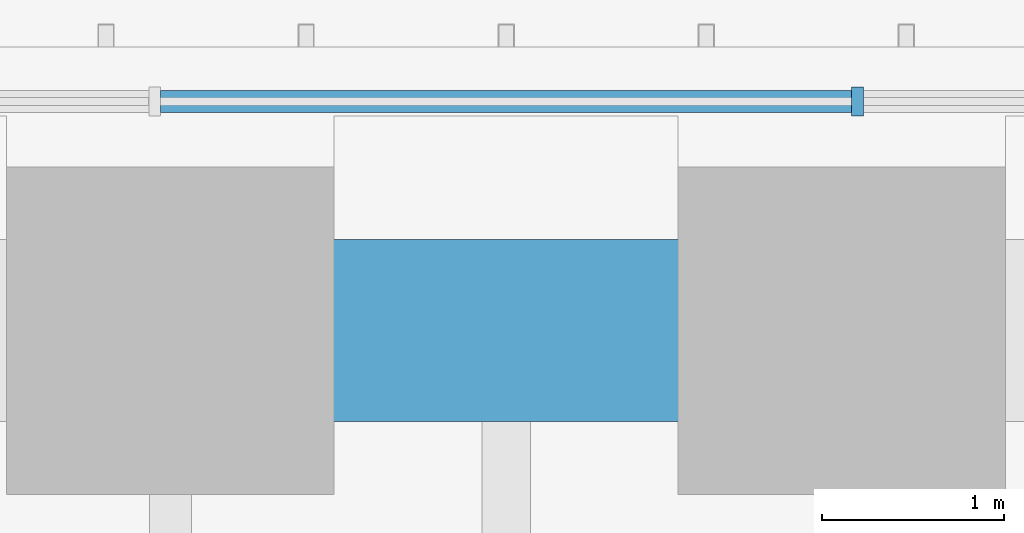
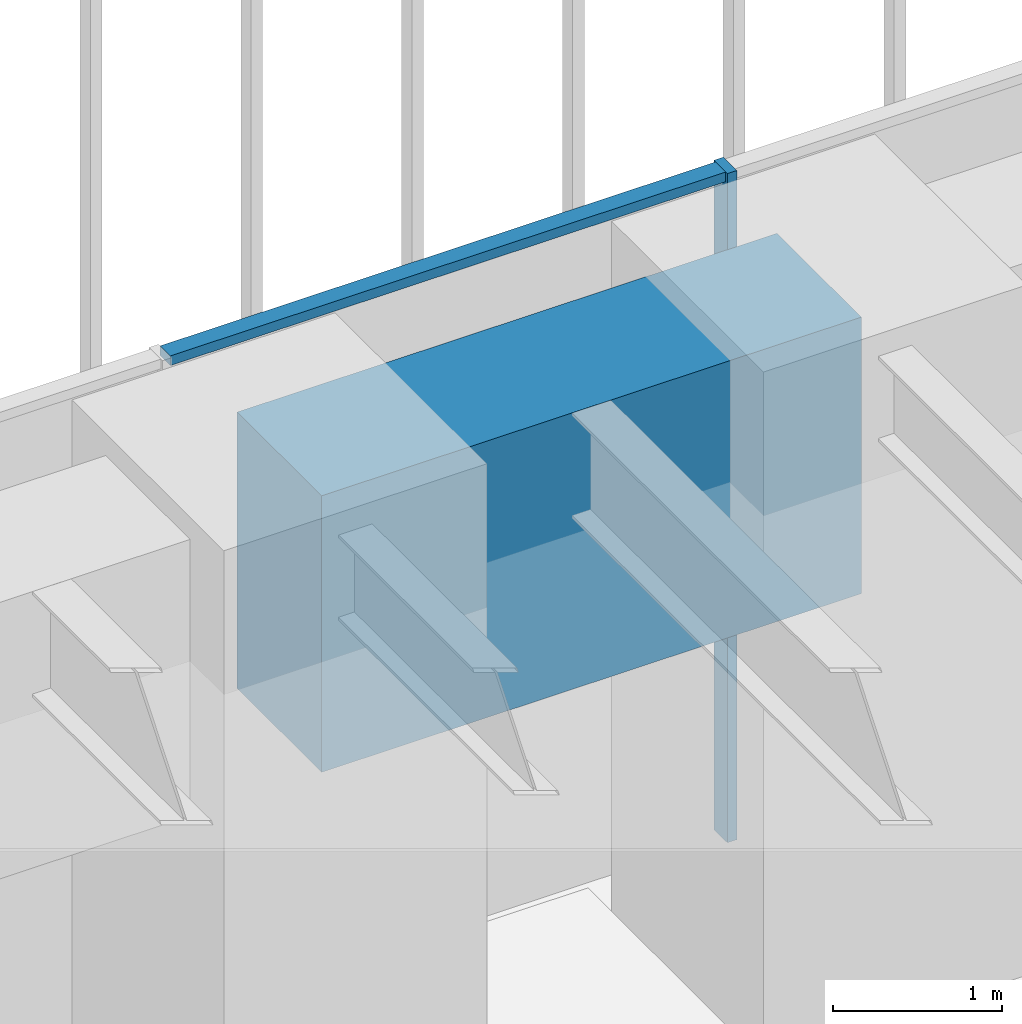
# One storey, part 173 of 228: 2 members, 1 beam, 1 element without a shape of its own.
"""IFC4 building model written with IfcOpenShell, lengths in metres."""

from ifc_helpers import new_model, si_unit, direction, frame, origin, origin_2d, place, context, subcontext, project, spatial, rectangle, extrude, material, material_profile, profile_set, type_object, element, aggregate, save


model = new_model("IFC4")

# Units and contexts
model_context = context("Model", 3, precision=1e-05, world=origin(), true_north=direction((0.0, 1.0)))
body_context = subcontext(model_context, "Body", "Model", "MODEL_VIEW")
ifc_project = project(units=[si_unit("LENGTHUNIT", "METRE"), si_unit("AREAUNIT", "SQUARE_METRE"), si_unit("VOLUMEUNIT", "CUBIC_METRE"), si_unit("PLANEANGLEUNIT", "RADIAN"), si_unit("MASSUNIT", "GRAM", prefix="KILO")], contexts=[model_context])

# Site, building, storey
site_placement = place(None, origin())
site = spatial("IfcSite", under=ifc_project, at=site_placement, CompositionType="ELEMENT")
building_placement = place(site_placement, origin())
building = spatial("IfcBuilding", under=site, at=building_placement, Name="Sandreach Pilgrim Tower", CompositionType="ELEMENT")
storey_placement = place(building_placement, frame((0.0, 0.0, 178.199951171875)))
storey = spatial("IfcBuildingStorey", under=building, at=storey_placement, Name="L44", CompositionType="ELEMENT", Elevation=178.199951171875)

# Curtain wall, members
ifc_material_1 = material(Name="Aluminium framed curtain wall", Category="aluminium")
curtain_wall_type = type_object("IfcCurtainWallType", Name="Upper hotel tower curtain wall", PredefinedType="NOTDEFINED", material=ifc_material_1)
curtain_wall_placement = place(storey_placement, origin())
curtain_wall = element("IfcCurtainWall", 1, at=curtain_wall_placement, inside=storey, type_object=curtain_wall_type, Name="CW-3 L44 N", PredefinedType="NOTDEFINED")
ifc_material_2 = material(Name="Aluminium extrusion", Category="aluminium")
ifc_material_profile_1 = material_profile(ifc_material_2, rectangle(XDim=0.06494140625, YDim=0.159912109375, at=origin_2d()), Name="CW-3M 65X160")
ifc_profile_set_1 = profile_set([ifc_material_profile_1], Name="Aluminium extrusion")
member_type_1 = type_object("IfcMemberType", Name="CW-3 mullion", PredefinedType="MULLION", material=ifc_profile_set_1)
member_1_placement = place(storey_placement, frame((1.93212890625, 21.16015625, 0.0), z_axis=(0.0, 0.0, 1.0), x_axis=(1.0, 0.0, 0.0)))
member_1 = element("IfcMember", 2, at=member_1_placement, type_object=member_type_1, Name="CW-3 mullion 6", PredefinedType="MULLION", context=body_context, shape_type="SweptSolid", body=[
    extrude(rectangle(XDim=0.06494140625, YDim=0.159912109375, at=origin_2d()), origin(), (0.0, 0.0, 1.0), 4.840087890625),
])
ifc_material_3 = material(Name="Aluminium extrusion", Category="aluminium")
ifc_material_profile_2 = material_profile(ifc_material_3, rectangle(XDim=0.1201171875, YDim=0.070068359375, at=origin_2d()), Name="CW-3T 120X70")
ifc_profile_set_2 = profile_set([ifc_material_profile_2], Name="Aluminium extrusion")
member_type_2 = type_object("IfcMemberType", Name="CW-3 transom", PredefinedType="USERDEFINED", material=ifc_profile_set_2)
member_2_placement = place(storey_placement, frame((-1.899658203125, 21.16015625, 4.804931640625), z_axis=(1.0, 0.0, 0.0), x_axis=(0.0, 1.0, 0.0)))
member_2 = element("IfcMember", 3, at=member_2_placement, type_object=member_type_2, Name="CW-3 head transom 5", ObjectType="TRANSOM", PredefinedType="USERDEFINED", context=body_context, shape_type="SweptSolid", body=[
    extrude(rectangle(XDim=0.1201171875, YDim=0.070068359375, at=origin_2d()), origin(), (0.0, 0.0, 1.0), 3.79931640625),
])
aggregate(curtain_wall, [member_1, member_2])

# Beam
ifc_material_4 = material(Name="Concrete 10000 psi", Category="concrete")
ifc_material_profile_3 = material_profile(ifc_material_4, rectangle(XDim=1.0, YDim=2.0, at=origin_2d()), Name="RC1000X2000")
ifc_profile_set_3 = profile_set([ifc_material_profile_3], Name="Concrete 10000 psi")
beam_type = type_object("IfcBeamType", Name="Spandrel beam RC1000X2000", PredefinedType="SPANDREL", material=ifc_profile_set_3)
beam_placement = place(storey_placement, frame((-1.84619140625, 19.900146484375, 3.840087890625), z_axis=(1.0, 0.0, 0.0), x_axis=(0.0, 1.0, 0.0)))
element("IfcBeam", 4, at=beam_placement, inside=storey, type_object=beam_type, Name="BM L44 SP04", PredefinedType="SPANDREL", context=body_context, shape_type="SweptSolid", body=[
    extrude(rectangle(XDim=1.0, YDim=2.0, at=origin_2d()), origin(), (0.0, 0.0, 1.0), 3.6923828125),
])

save(model, "model.ifc")
